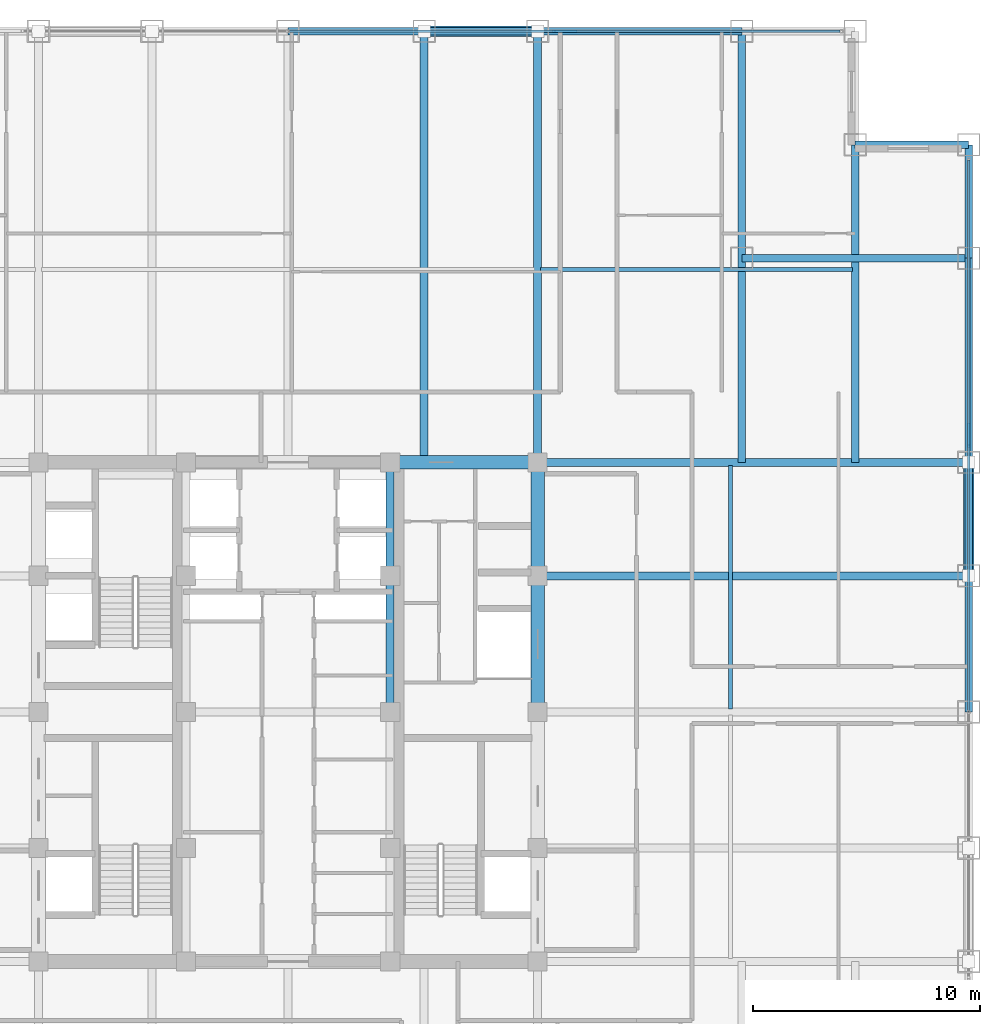
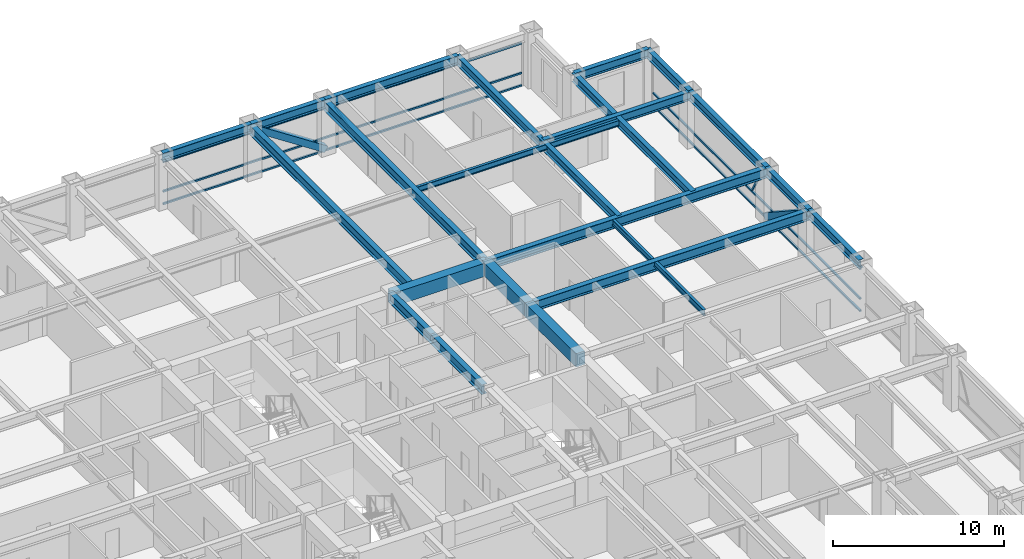
# One storey, part 17 of 25: 22 beams, 10 members, 2 elements without a shape of their own.
"""IFC4 building model written with IfcOpenShell, lengths in metres."""

import ifcopenshell
import ifcopenshell.guid

model = None  # the IFC model being written
_history = None  # IfcOwnerHistory: only IFC2X3 demands one
_inside = {}  # id of a spatial element -> (the spatial element, [elements in it])
_under = {}  # id of a project, library or spatial element -> (it, [spatial elements below it])
_declared = {}  # id of a project -> (the project, [libraries it declares])
_typed = {}  # id of a type object -> (the type object, [elements of that type])
_made_of = {}  # id of a material, layer set ... -> (it, [elements and type objects made of it])


def new_model(schema):
    """Start an empty IFC model of exactly this schema.

    Asked for "IFC4X3", IfcOpenShell would pick the latest addendum, in which some entities
    have other attributes; the version numbers below select the first issue.
    IFC2X3 requires an IfcOwnerHistory on every rooted entity: one is made here for all.
    """
    global model, _history
    if schema == "IFC4X3":
        model = ifcopenshell.file(schema_version=(4, 3, 0, 0))
    else:
        model = ifcopenshell.file(schema=schema)
    _inside.clear()
    _under.clear()
    _declared.clear()
    _typed.clear()
    _made_of.clear()
    _history = None
    if model.schema == "IFC2X3":
        org = make("IfcOrganization", Name="unknown")
        user = make(
            "IfcPersonAndOrganization",
            ThePerson=make("IfcPerson", FamilyName="unknown"),
            TheOrganization=org,
        )
        app = make(
            "IfcApplication",
            ApplicationDeveloper=org,
            Version="unknown",
            ApplicationFullName="unknown",
            ApplicationIdentifier="unknown",
        )
        _history = make(
            "IfcOwnerHistory",
            OwningUser=user,
            OwningApplication=app,
            ChangeAction="ADDED",
            CreationDate=0,
        )
    return model


def make(cls, **values):
    """One entity of the class cls with the attributes given. An attribute that is None is left unset."""
    return model.create_entity(
        cls, **{name: value for name, value in values.items() if value is not None}
    )


def rooted(cls, **values):
    """An entity with a GlobalId (a new one), such as an element, a storey or a relation."""
    return make(cls, GlobalId=ifcopenshell.guid.new(), OwnerHistory=_history, **values)


def si_unit(unit_type, name, prefix=None):
    """IfcSIUnit, for example si_unit("LENGTHUNIT", "METRE", prefix="MILLI")."""
    return make("IfcSIUnit", UnitType=unit_type, Prefix=prefix, Name=name)


def assignment(units):
    """IfcUnitAssignment: the units of a project."""
    return None if units is None else make("IfcUnitAssignment", Units=units)


def point(xyz):
    """IfcCartesianPoint."""
    return None if xyz is None else make("IfcCartesianPoint", Coordinates=xyz)


def direction(xyz):
    """IfcDirection."""
    return None if xyz is None else make("IfcDirection", DirectionRatios=xyz)


def frame(location, z_axis=None, x_axis=None):
    """IfcAxis2Placement3D, a coordinate frame: its origin and axes. An axis left out is left unset."""
    return make(
        "IfcAxis2Placement3D",
        Location=point(location),
        Axis=direction(z_axis),
        RefDirection=direction(x_axis),
    )


def frame_2d(location, x_axis=None):
    """IfcAxis2Placement2D, a coordinate frame in the plane: its origin and x axis."""
    return make(
        "IfcAxis2Placement2D", Location=point(location), RefDirection=direction(x_axis)
    )


def origin():
    """The frame at (0, 0, 0) with its axes left unset."""
    return frame((0.0, 0.0, 0.0))


def origin_2d():
    """The frame at (0, 0) in the plane with its x axis left unset."""
    return frame_2d((0.0, 0.0))


def place(relative_to, where):
    """IfcLocalPlacement: puts the frame where relative to a parent placement (None: the world)."""
    return make(
        "IfcLocalPlacement", PlacementRelTo=relative_to, RelativePlacement=where
    )


def context(
    kind, dimensions, precision=None, world=None, true_north=None, identifier=None
):
    """IfcGeometricRepresentationContext, for example the 3D "Model" context."""
    return make(
        "IfcGeometricRepresentationContext",
        ContextIdentifier=identifier,
        ContextType=kind,
        CoordinateSpaceDimension=dimensions,
        Precision=precision,
        WorldCoordinateSystem=world,
        TrueNorth=true_north,
    )


def subcontext(parent, identifier, kind, view, scale=None):
    """IfcGeometricRepresentationSubContext, for example "Body" below "Model"."""
    return make(
        "IfcGeometricRepresentationSubContext",
        ContextIdentifier=identifier,
        ContextType=kind,
        ParentContext=parent,
        TargetScale=scale,
        TargetView=view,
    )


def project(units=None, contexts=None):
    """IfcProject with its units and contexts."""
    return rooted(
        "IfcProject",
        Name="project",
        RepresentationContexts=contexts,
        UnitsInContext=assignment(units),
    )


def spatial(cls, under=None, at=None, **own):
    """A site, building, storey or space (cls), placed at a placement, below another one or the project."""
    s = rooted(cls, ObjectPlacement=at, **own)
    if under is not None:
        _under.setdefault(under.id(), (under, []))[1].append(s)
    return s


def profile(cls, at=None, kind="AREA", **sizes):
    """A parametric profile (cls). Its sizes go by their IFC names, for example OverallWidth=200.0."""
    return make(cls, ProfileType=kind, Position=at, **sizes)


def rectangle(**sizes):
    """IfcRectangleProfileDef."""
    return profile("IfcRectangleProfileDef", **sizes)


def hollow_rectangle(**sizes):
    """IfcRectangleHollowProfileDef."""
    return profile("IfcRectangleHollowProfileDef", **sizes)


def i_section(**sizes):
    """IfcIShapeProfileDef."""
    return profile("IfcIShapeProfileDef", **sizes)


def extrude(swept, where, along, depth):
    """IfcExtrudedAreaSolid: the profile swept, set in the frame where, extruded along a direction by depth."""
    return make(
        "IfcExtrudedAreaSolid",
        SweptArea=swept,
        Position=where,
        ExtrudedDirection=direction(along),
        Depth=depth,
    )


def shape(context_of_items, identifier, shape_type, items):
    """IfcShapeRepresentation: the items that make up one representation, for example the "Body"."""
    return make(
        "IfcShapeRepresentation",
        ContextOfItems=context_of_items,
        RepresentationIdentifier=identifier,
        RepresentationType=shape_type,
        Items=items,
    )


def source(mapping_origin, context_of_items, identifier, shape_type, items):
    """IfcRepresentationMap: a shape defined once, which mapped items show again and again."""
    return make(
        "IfcRepresentationMap",
        MappingOrigin=mapping_origin,
        MappedRepresentation=shape(context_of_items, identifier, shape_type, items),
    )


def transform(
    local_origin,
    x_axis=None,
    y_axis=None,
    z_axis=None,
    scale=None,
    scale2=None,
    scale3=None,
    uniform=True,
):
    """IfcCartesianTransformationOperator3D, or its non-uniform kind. x_axis, y_axis, z_axis: its Axis1, 2, 3."""
    if uniform:
        return make(
            "IfcCartesianTransformationOperator3D",
            Axis1=direction(x_axis),
            Axis2=direction(y_axis),
            LocalOrigin=point(local_origin),
            Scale=scale,
            Axis3=direction(z_axis),
        )
    return make(
        "IfcCartesianTransformationOperator3DnonUniform",
        Axis1=direction(x_axis),
        Axis2=direction(y_axis),
        LocalOrigin=point(local_origin),
        Scale=scale,
        Axis3=direction(z_axis),
        Scale2=scale2,
        Scale3=scale3,
    )


def mapped(mapping_source, mapping_target):
    """IfcMappedItem: shows the shape of a source again, moved by a transform."""
    return make(
        "IfcMappedItem", MappingSource=mapping_source, MappingTarget=mapping_target
    )


def material(Name=None, Category=None):
    """IfcMaterial."""
    return make("IfcMaterial", Name=Name, Category=Category)


def material_profile(
    of_material, cross_section, Name=None, Category=None, Priority=None
):
    """IfcMaterialProfile: a cross section and its material."""
    return make(
        "IfcMaterialProfile",
        Name=Name,
        Material=of_material,
        Profile=cross_section,
        Priority=Priority,
        Category=Category,
    )


def profile_set(profiles, Name=None, composite=None):
    """IfcMaterialProfileSet."""
    return make(
        "IfcMaterialProfileSet",
        Name=Name,
        MaterialProfiles=profiles,
        CompositeProfile=composite,
    )


def made_of(thing, what):
    """Note that an element or type object is made of a material, layer set ...; save() writes the relation."""
    if what is not None:
        _made_of.setdefault(what.id(), (what, []))[1].append(thing)
    return thing


def type_object(cls, material=None, **own):
    """A type object (cls), such as IfcWallType, which elements share."""
    return made_of(rooted(cls, **own), material)


def element(
    cls,
    number,
    at=None,
    inside=None,
    cuts=None,
    type_object=None,
    material=None,
    context=None,
    identifier="Body",
    shape_type=None,
    held_by="IfcProductDefinitionShape",
    body=None,
    shapes=None,
    **own,
):
    """One element of the class cls, such as IfcWall. Its Tag is "e" and its number.

    at: its placement. inside: the storey or other place that contains it. cuts: it is an
    opening in that element (IfcRelVoidsElement). A single representation is given by context,
    identifier, shape_type and body (its items); several are given by shapes. held_by: the class
    of the entity that holds the representations. save() writes the other relations.
    """
    e = rooted(cls, Tag="e%d" % number, ObjectPlacement=at, **own)
    if body is not None:
        shapes = [shape(context, identifier, shape_type, body)]
    if shapes is not None:
        e.Representation = make(held_by, Representations=shapes)
    if inside is not None:
        _inside.setdefault(inside.id(), (inside, []))[1].append(e)
    if cuts is not None:
        rooted(
            "IfcRelVoidsElement", RelatingBuildingElement=cuts, RelatedOpeningElement=e
        )
    if type_object is not None:
        _typed.setdefault(type_object.id(), (type_object, []))[1].append(e)
    return made_of(e, material)


def aggregate(whole, parts):
    """IfcRelAggregates: a whole, such as a stair, and the parts it consists of."""
    return rooted("IfcRelAggregates", RelatingObject=whole, RelatedObjects=parts)


def save(model, path):
    """Write the relations noted so far, then the file.

    IfcRelAggregates (storeys below a building ...), IfcRelContainedInSpatialStructure (elements
    in a storey), IfcRelDefinesByType, IfcRelAssociatesMaterial and IfcRelDeclares: one each for
    every whole, place, type object, material and project.
    """
    for whole, parts in _under.values():
        aggregate(whole, parts)
    for where, things in _inside.values():
        rooted(
            "IfcRelContainedInSpatialStructure",
            RelatedElements=things,
            RelatingStructure=where,
        )
    for kind, things in _typed.values():
        rooted("IfcRelDefinesByType", RelatedObjects=things, RelatingType=kind)
    for what, things in _made_of.values():
        rooted("IfcRelAssociatesMaterial", RelatedObjects=things, RelatingMaterial=what)
    for by, libraries in _declared.values():
        rooted("IfcRelDeclares", RelatingContext=by, RelatedDefinitions=libraries)
    model.write(path)


model = new_model("IFC4")

# Units and contexts
model_context = context("Model", 3, precision=1e-05, world=origin(), true_north=direction((0.0, 1.0)))
body_context = subcontext(model_context, "Body", "Model", "MODEL_VIEW")
ifc_project = project(units=[si_unit("LENGTHUNIT", "METRE"), si_unit("AREAUNIT", "SQUARE_METRE"), si_unit("VOLUMEUNIT", "CUBIC_METRE"), si_unit("PLANEANGLEUNIT", "RADIAN"), si_unit("MASSUNIT", "GRAM", prefix="KILO")], contexts=[model_context])

# Site, building, storey
site_placement = place(None, origin())
site = spatial("IfcSite", under=ifc_project, at=site_placement, CompositionType="ELEMENT")
building_placement = place(site_placement, origin())
building = spatial("IfcBuilding", under=site, at=building_placement, Name="Khorayat Bourse Tower", CompositionType="ELEMENT")
storey_placement = place(building_placement, frame((0.0, 0.0, 227.10009765625)))
storey = spatial("IfcBuildingStorey", under=building, at=storey_placement, Name="L53", CompositionType="ELEMENT", Elevation=227.10009765625)

# Beams
ifc_material_1 = material(Name="Steel ASTM A992 Grade 50", Category="steel")
ifc_material_profile_1 = material_profile(ifc_material_1, i_section(OverallWidth=0.35498046875, OverallDepth=0.695068359375, WebThickness=0.015380859375, FlangeThickness=0.02490234375, FilletRadius=0.01806640625, at=origin_2d()), Name="W690X217")
ifc_profile_set_1 = profile_set([ifc_material_profile_1], Name="Steel ASTM A992 Grade 50")
beam_type_1 = type_object("IfcBeamType", Name="BM-GIRD-690", PredefinedType="BEAM", material=ifc_profile_set_1)
shared_shape_1 = source(origin(), body_context, "Body", "SweptSolid", [
    extrude(i_section(OverallWidth=0.35498046875, OverallDepth=0.695068359375, WebThickness=0.015380859375, FlangeThickness=0.02490234375, FilletRadius=0.01806640625, at=origin_2d()), origin(), (0.0, 0.0, 1.0), 5.0),
])
beam_1_placement = place(storey_placement, frame((4.5, 6.0, 3.432373046875), z_axis=(0.0, 1.0, 0.0), x_axis=(-1.0, 0.0, 0.0)))
element("IfcBeam", 1, at=beam_1_placement, inside=storey, type_object=beam_type_1, Name="L53 BM-GIRD-690 BM-L53-CRX-12", PredefinedType="BEAM", context=body_context, shape_type="MappedRepresentation", body=[
    mapped(shared_shape_1, transform((0.0, 0.0, 0.0), scale=1.0)),
])
shared_shape_2 = source(origin(), body_context, "Body", "SweptSolid", [
    extrude(i_section(OverallWidth=0.35498046875, OverallDepth=0.695068359375, WebThickness=0.015380859375, FlangeThickness=0.02490234375, FilletRadius=0.01806640625, at=origin_2d()), origin(), (0.0, 0.0, 1.0), 6.0),
])
beam_2_placement = place(storey_placement, frame((4.5, 0.0, 3.432373046875), z_axis=(0.0, 1.0, 0.0), x_axis=(-1.0, 0.0, 0.0)))
element("IfcBeam", 2, at=beam_2_placement, inside=storey, type_object=beam_type_1, Name="L53 BM-GIRD-690 BM-L53-CRX-11", PredefinedType="BEAM", context=body_context, shape_type="MappedRepresentation", body=[
    mapped(shared_shape_2, transform((0.0, 0.0, 0.0), scale=1.0)),
])
ifc_material_profile_2 = material_profile(ifc_material_1, i_section(OverallWidth=0.324951171875, OverallDepth=0.615966796875, WebThickness=0.013916015625, FlangeThickness=0.021484375, FilletRadius=0.01611328125, at=origin_2d()), Name="W610X174")
ifc_profile_set_2 = profile_set([ifc_material_profile_2], Name="Steel ASTM A992 Grade 50")
beam_type_2 = type_object("IfcBeamType", Name="BM-GIRD-610", PredefinedType="BEAM", material=ifc_profile_set_2)
shared_shape_3 = source(origin(), body_context, "Body", "SweptSolid", [
    extrude(i_section(OverallWidth=0.324951171875, OverallDepth=0.615966796875, WebThickness=0.013916015625, FlangeThickness=0.021484375, FilletRadius=0.01611328125, at=origin_2d()), origin(), (0.0, 0.0, 1.0), 19.0),
])
beam_3_placement = place(storey_placement, frame((20.0, 11.0, 3.471923828125), z_axis=(0.0, 1.0, 0.0), x_axis=(-1.0, 0.0, 0.0)))
element("IfcBeam", 3, at=beam_3_placement, inside=storey, type_object=beam_type_2, Name="L53 BM-GIRD-610 BM-L53-CNRY-087", PredefinedType="BEAM", context=body_context, shape_type="MappedRepresentation", body=[
    mapped(shared_shape_3, transform((0.0, 0.0, 0.0), scale=1.0)),
])
shared_shape_4 = source(origin(), body_context, "Body", "SweptSolid", [
    extrude(i_section(OverallWidth=0.324951171875, OverallDepth=0.615966796875, WebThickness=0.013916015625, FlangeThickness=0.021484375, FilletRadius=0.01611328125, at=origin_2d()), origin(), (0.0, 0.0, 1.0), 10.0),
])
beam_4_placement = place(storey_placement, frame((20.0, 20.0, 3.471923828125), z_axis=(1.0, 0.0, 0.0), x_axis=(0.0, 1.0, 0.0)))
element("IfcBeam", 4, at=beam_4_placement, inside=storey, type_object=beam_type_2, Name="L53 BM-GIRD-610 BM-L53-CNRX-094", PredefinedType="BEAM", context=body_context, shape_type="MappedRepresentation", body=[
    mapped(shared_shape_4, transform((0.0, 0.0, 0.0), scale=1.0)),
])
ifc_material_profile_3 = material_profile(ifc_material_1, i_section(OverallWidth=0.180908203125, OverallDepth=0.4169921875, WebThickness=0.010986328125, FlangeThickness=0.018310546875, FilletRadius=0.011962890625, at=origin_2d()), Name="W410X85")
ifc_profile_set_3 = profile_set([ifc_material_profile_3], Name="Steel ASTM A992 Grade 50")
beam_type_3 = type_object("IfcBeamType", Name="BM-JOIST-410", PredefinedType="JOIST", material=ifc_profile_set_3)
shared_shape_5 = source(origin(), body_context, "Body", "SweptSolid", [
    extrude(i_section(OverallWidth=0.180908203125, OverallDepth=0.4169921875, WebThickness=0.010986328125, FlangeThickness=0.018310546875, FilletRadius=0.011962890625, at=origin_2d()), origin(), (0.0, 0.0, 1.0), 10.740234375),
])
beam_5_placement = place(storey_placement, frame((19.5, 0.1298828125, 3.5712890625), z_axis=(0.0, 1.0, 0.0), x_axis=(-1.0, 0.0, 0.0)))
element("IfcBeam", 5, at=beam_5_placement, inside=storey, type_object=beam_type_3, Name="L53 BM-JOIST-410 BM-L53-JSTY-105", PredefinedType="JOIST", context=body_context, shape_type="MappedRepresentation", body=[
    mapped(shared_shape_5, transform((0.0, 0.0, 0.0), scale=1.0)),
])
ifc_material_profile_4 = material_profile(ifc_material_1, i_section(OverallWidth=0.324951171875, OverallDepth=0.615966796875, WebThickness=0.013916015625, FlangeThickness=0.021484375, FilletRadius=0.01611328125, at=origin_2d()), Name="W610X174")
ifc_profile_set_4 = profile_set([ifc_material_profile_4], Name="Steel ASTM A992 Grade 50")
beam_type_4 = type_object("IfcBeamType", Name="BM-SPAN-610", PredefinedType="SPANDREL", material=ifc_profile_set_4)
shared_shape_6 = source(origin(), body_context, "Body", "SweptSolid", [
    extrude(i_section(OverallWidth=0.324951171875, OverallDepth=0.615966796875, WebThickness=0.013916015625, FlangeThickness=0.021484375, FilletRadius=0.01611328125, at=origin_2d()), origin(), (0.0, 0.0, 1.0), 9.0),
])
for number, where, z_axis, x_axis, name in (
    (6, (30.0, 11.0, 3.471923828125), (0.0, 1.0, 0.0), (-1.0, 0.0, 0.0), "L53 BM-SPAN-610 BM-L53-SPN-040"),
    (7, (11.0, 30.0, 3.471923828125), (1.0, 0.0, 0.0), (0.0, 1.0, 0.0), "L53 BM-SPAN-610 BM-L53-SPN-045"),
):
    element("IfcBeam", number, at=place(storey_placement, frame(where, z_axis=z_axis, x_axis=x_axis)), inside=storey, type_object=beam_type_4, Name=name, PredefinedType="SPANDREL", context=body_context, shape_type="MappedRepresentation", body=[
        mapped(shared_shape_6, transform((0.0, 0.0, 0.0), scale=1.0)),
    ])
shared_shape_7 = source(origin(), body_context, "Body", "SweptSolid", [
    extrude(i_section(OverallWidth=0.324951171875, OverallDepth=0.615966796875, WebThickness=0.013916015625, FlangeThickness=0.021484375, FilletRadius=0.01611328125, at=origin_2d()), origin(), (0.0, 0.0, 1.0), 5.0),
])
for number, where, z_axis, x_axis, name in (
    (8, (30.0, 6.0, 3.471923828125), (0.0, 1.0, 0.0), (-1.0, 0.0, 0.0), "L53 BM-SPAN-610 BM-L53-SPN-039"),
    (9, (30.0, 20.0, 3.471923828125), (0.0, 1.0, 0.0), (-1.0, 0.0, 0.0), "L53 BM-SPAN-610 BM-L53-SPN-041"),
    (10, (25.0, 25.0, 3.471923828125), (1.0, 0.0, 0.0), (0.0, 1.0, 0.0), "L53 BM-SPAN-610 BM-L53-SPN-042"),
    (11, (6.0, 30.0, 3.471923828125), (1.0, 0.0, 0.0), (0.0, 1.0, 0.0), "L53 BM-SPAN-610 BM-L53-SPN-046"),
):
    element("IfcBeam", number, at=place(storey_placement, frame(where, z_axis=z_axis, x_axis=x_axis)), inside=storey, type_object=beam_type_4, Name=name, PredefinedType="SPANDREL", context=body_context, shape_type="MappedRepresentation", body=[
        mapped(shared_shape_7, transform((0.0, 0.0, 0.0), scale=1.0)),
    ])
shared_shape_8 = source(origin(), body_context, "Body", "SweptSolid", [
    extrude(i_section(OverallWidth=0.324951171875, OverallDepth=0.615966796875, WebThickness=0.013916015625, FlangeThickness=0.021484375, FilletRadius=0.01611328125, at=origin_2d()), origin(), (0.0, 0.0, 1.0), 6.0),
])
for number, where, z_axis, x_axis, name in (
    (12, (30.0, 0.0, 3.471923828125), (0.0, 1.0, 0.0), (-1.0, 0.0, 0.0), "L53 BM-SPAN-610 BM-L53-SPN-038"),
    (13, (0.0, 30.0, 3.471923828125), (1.0, 0.0, 0.0), (0.0, 1.0, 0.0), "L53 BM-SPAN-610 BM-L53-SPN-047"),
):
    element("IfcBeam", number, at=place(storey_placement, frame(where, z_axis=z_axis, x_axis=x_axis)), inside=storey, type_object=beam_type_4, Name=name, PredefinedType="SPANDREL", context=body_context, shape_type="MappedRepresentation", body=[
        mapped(shared_shape_8, transform((0.0, 0.0, 0.0), scale=1.0)),
    ])
ifc_material_2 = material(Name="Concrete C60/75", Category="concrete")
ifc_material_profile_5 = material_profile(ifc_material_2, rectangle(XDim=0.60009765625, YDim=0.949951171875, at=origin_2d()), Name="RC 600x950")
ifc_profile_set_5 = profile_set([ifc_material_profile_5], Name="Concrete C60/75")
beam_type_5 = type_object("IfcBeamType", Name="BM-COUP-950", PredefinedType="BEAM", material=ifc_profile_set_5)
shared_shape_9 = source(origin(), body_context, "Body", "SweptSolid", [
    extrude(rectangle(XDim=0.60009765625, YDim=0.949951171875, at=origin_2d()), origin(), (0.0, 0.0, 1.0), 5.0),
])
beam_6_placement = place(storey_placement, frame((11.0, 6.0, 3.304931640625), z_axis=(0.0, 1.0, 0.0), x_axis=(-1.0, 0.0, 0.0)))
element("IfcBeam", 14, at=beam_6_placement, inside=storey, type_object=beam_type_5, Name="L53 BM-COUP-950 BM-L53-CRX-16", PredefinedType="BEAM", context=body_context, shape_type="MappedRepresentation", body=[
    mapped(shared_shape_9, transform((0.0, 0.0, 0.0), scale=1.0)),
])
shared_shape_10 = source(origin(), body_context, "Body", "SweptSolid", [
    extrude(rectangle(XDim=0.60009765625, YDim=0.949951171875, at=origin_2d()), origin(), (0.0, 0.0, 1.0), 6.0),
])
beam_7_placement = place(storey_placement, frame((11.0, 0.0, 3.304931640625), z_axis=(0.0, 1.0, 0.0), x_axis=(-1.0, 0.0, 0.0)))
element("IfcBeam", 15, at=beam_7_placement, inside=storey, type_object=beam_type_5, Name="L53 BM-COUP-950 BM-L53-CRX-15", PredefinedType="BEAM", context=body_context, shape_type="MappedRepresentation", body=[
    mapped(shared_shape_10, transform((0.0, 0.0, 0.0), scale=1.0)),
])
shared_shape_11 = source(origin(), body_context, "Body", "SweptSolid", [
    extrude(rectangle(XDim=0.60009765625, YDim=0.949951171875, at=origin_2d()), origin(), (0.0, 0.0, 1.0), 6.5),
])
beam_8_placement = place(storey_placement, frame((4.5, 11.0, 3.304931640625), z_axis=(1.0, 0.0, 0.0), x_axis=(0.0, 1.0, 0.0)))
element("IfcBeam", 16, at=beam_8_placement, inside=storey, type_object=beam_type_5, Name="L53 BM-COUP-950 BM-L53-CRY-22", PredefinedType="BEAM", context=body_context, shape_type="MappedRepresentation", body=[
    mapped(shared_shape_11, transform((0.0, 0.0, 0.0), scale=1.0)),
])
shared_shape_12 = source(origin(), body_context, "Body", "SweptSolid", [
    extrude(i_section(OverallWidth=0.35498046875, OverallDepth=0.695068359375, WebThickness=0.015380859375, FlangeThickness=0.02490234375, FilletRadius=0.01806640625, at=origin_2d()), origin(), (0.0, 0.0, 1.0), 19.0),
])
for number, where, z_axis, x_axis, name in (
    (17, (6.0, 11.0, 3.432373046875), (0.0, 1.0, 0.0), (-1.0, 0.0, 0.0), "L53 BM-GIRD-690 BM-L53-RADY-070"),
    (18, (11.0, 11.0, 3.432373046875), (0.0, 1.0, 0.0), (-1.0, 0.0, 0.0), "L53 BM-GIRD-690 BM-L53-RADY-072"),
    (19, (11.0, 6.0, 3.432373046875), (1.0, 0.0, 0.0), (0.0, 1.0, 0.0), "L53 BM-GIRD-690 BM-L53-RADX-080"),
    (20, (11.0, 11.0, 3.432373046875), (1.0, 0.0, 0.0), (0.0, 1.0, 0.0), "L53 BM-GIRD-690 BM-L53-RADX-082"),
):
    element("IfcBeam", number, at=place(storey_placement, frame(where, z_axis=z_axis, x_axis=x_axis)), inside=storey, type_object=beam_type_1, Name=name, PredefinedType="BEAM", context=body_context, shape_type="MappedRepresentation", body=[
        mapped(shared_shape_12, transform((0.0, 0.0, 0.0), scale=1.0)),
    ])
shared_shape_13 = source(origin(), body_context, "Body", "SweptSolid", [
    extrude(i_section(OverallWidth=0.324951171875, OverallDepth=0.615966796875, WebThickness=0.013916015625, FlangeThickness=0.021484375, FilletRadius=0.01611328125, at=origin_2d()), origin(), (0.0, 0.0, 1.0), 14.0),
])
beam_9_placement = place(storey_placement, frame((25.0, 11.0, 3.471923828125), z_axis=(0.0, 1.0, 0.0), x_axis=(-1.0, 0.0, 0.0)))
element("IfcBeam", 21, at=beam_9_placement, inside=storey, type_object=beam_type_2, Name="L53 BM-GIRD-610 BM-L53-CNRY-091", PredefinedType="BEAM", context=body_context, shape_type="MappedRepresentation", body=[
    mapped(shared_shape_13, transform((0.0, 0.0, 0.0), scale=1.0)),
])
shared_shape_14 = source(origin(), body_context, "Body", "SweptSolid", [
    extrude(i_section(OverallWidth=0.180908203125, OverallDepth=0.4169921875, WebThickness=0.010986328125, FlangeThickness=0.018310546875, FilletRadius=0.011962890625, at=origin_2d()), origin(), (0.0, 0.0, 1.0), 13.740234375),
])
beam_10_placement = place(storey_placement, frame((11.1298828125, 19.5, 3.5712890625), z_axis=(1.0, 0.0, 0.0), x_axis=(0.0, 1.0, 0.0)))
element("IfcBeam", 22, at=beam_10_placement, inside=storey, type_object=beam_type_3, Name="L53 BM-JOIST-410 BM-L53-JSTX-101", PredefinedType="JOIST", context=body_context, shape_type="MappedRepresentation", body=[
    mapped(shared_shape_14, transform((0.0, 0.0, 0.0), scale=1.0)),
])

# Members
ifc_material_3 = material(Name="Steel EN 10025-4 S460M", Category="steel")
ifc_material_profile_6 = material_profile(ifc_material_3, hollow_rectangle(XDim=0.449951171875, YDim=0.449951171875, WallThickness=0.02490234375, at=origin_2d()), Name="HSS 450x450x25")
ifc_profile_set_6 = profile_set([ifc_material_profile_6], Name="Steel EN 10025-4 S460M")
member_type_1 = type_object("IfcMemberType", Name="MBR-TUBE-450", PredefinedType="BRACE", material=ifc_profile_set_6)
shared_shape_15 = source(origin(), body_context, "Body", "SweptSolid", [
    extrude(hollow_rectangle(XDim=0.449951171875, YDim=0.449951171875, WallThickness=0.02490234375, at=origin_2d()), origin(), (0.0, 0.0, 1.0), 5.979736328125),
])
for number, where, z_axis, x_axis, name in (
    (23, (6.0, 30.0, 3.52978515625), (0.836160261256, 0.0, -0.548485202623), (0.0, 1.0, 0.0), "L53 Perimeter Tube Brace 04"),
    (24, (30.0, 6.0, 3.52978515625), (0.0, 0.836160261256, -0.548485202623), (-1.0, 0.0, 0.0), "L53 Perimeter Tube Brace 08"),
):
    element("IfcMember", number, at=place(storey_placement, frame(where, z_axis=z_axis, x_axis=x_axis)), inside=storey, type_object=member_type_1, Name=name, PredefinedType="BRACE", context=body_context, shape_type="MappedRepresentation", body=[
        mapped(shared_shape_15, transform((0.0, 0.0, 0.0), scale=1.0)),
    ])

# Curtain wall, member
ifc_material_4 = material(Name="Aluminium EN AW-6063 T6", Category="aluminium")
curtain_wall_type = type_object("IfcCurtainWallType", Name="CW-SYS-03", PredefinedType="NOTDEFINED", material=ifc_material_4)
curtain_wall_1_placement = place(storey_placement, origin())
curtain_wall_1 = element("IfcCurtainWall", 25, at=curtain_wall_1_placement, inside=storey, type_object=curtain_wall_type, Name="L53 Curtain Wall CW-L53-N1", PredefinedType="NOTDEFINED")
ifc_material_profile_7 = material_profile(ifc_material_4, hollow_rectangle(XDim=0.1201171875, YDim=0.1201171875, WallThickness=0.0048828125, at=origin_2d()), Name="ALU 120x120x5")
ifc_profile_set_7 = profile_set([ifc_material_profile_7], Name="Aluminium EN AW-6063 T6")
member_type_2 = type_object("IfcMemberType", Name="CWM-DIAG-120", PredefinedType="MULLION", material=ifc_profile_set_7)
shared_shape_16 = source(origin(), body_context, "Body", "SweptSolid", [
    extrude(hollow_rectangle(XDim=0.1201171875, YDim=0.1201171875, WallThickness=0.0048828125, at=origin_2d()), origin(), (0.0, 0.0, 1.0), 2.079345703125),
])
member_1_placement = place(storey_placement, frame((12.67919921875, 30.0, 1.08984375), z_axis=(-0.465760949701, 0.0, 0.884910581773), x_axis=(0.0, -1.0, 0.0)))
member_1 = element("IfcMember", 26, at=member_1_placement, type_object=member_type_2, Name="CW-L53-N1 Faceted Diagonal Mullion 2", PredefinedType="MULLION", context=body_context, shape_type="MappedRepresentation", body=[
    mapped(shared_shape_16, transform((0.0, 0.0, 0.0), scale=1.0)),
])

curtain_wall_2_placement = place(storey_placement, origin())
curtain_wall_2 = element("IfcCurtainWall", 27, at=curtain_wall_2_placement, inside=storey, type_object=curtain_wall_type, Name="L53 Curtain Wall CW-L53-E1", PredefinedType="NOTDEFINED")
member_2_placement = place(storey_placement, frame((30.0, 12.67919921875, 1.08984375), z_axis=(0.0, -0.465760949701, 0.884910581773), x_axis=(1.0, 0.0, 0.0)))
member_2 = element("IfcMember", 28, at=member_2_placement, type_object=member_type_2, Name="CW-L53-E1 Faceted Diagonal Mullion 2", PredefinedType="MULLION", context=body_context, shape_type="MappedRepresentation", body=[
    mapped(shared_shape_16, transform((0.0, 0.0, 0.0), scale=1.0)),
])

# Member
ifc_material_profile_8 = material_profile(ifc_material_4, hollow_rectangle(XDim=0.1201171875, YDim=0.1201171875, WallThickness=0.0048828125, at=origin_2d()), Name="ALU 120x120x5")
ifc_profile_set_8 = profile_set([ifc_material_profile_8], Name="Aluminium EN AW-6063 T6")
member_type_3 = type_object("IfcMemberType", Name="CWT-HORZ-120", PredefinedType="USERDEFINED", material=ifc_profile_set_8)
shared_shape_17 = source(origin(), body_context, "Body", "SweptSolid", [
    extrude(hollow_rectangle(XDim=0.1201171875, YDim=0.1201171875, WallThickness=0.0048828125, at=origin_2d()), origin(), (0.0, 0.0, 1.0), 24.27001953125),
])
member_3_placement = place(storey_placement, frame((0.06005859375, 30.0, 0.059814453125), z_axis=(1.0, 0.0, 0.0), x_axis=(0.0, 1.0, 0.0)))
member_3 = element("IfcMember", 29, at=member_3_placement, type_object=member_type_3, Name="CW-L53-N1 Horizontal Transom 2-1", ObjectType="TRANSOM", PredefinedType="USERDEFINED", context=body_context, shape_type="MappedRepresentation", body=[
    mapped(shared_shape_17, transform((0.0, 0.0, 0.0), scale=1.0)),
])

member_4_placement = place(storey_placement, frame((0.06005859375, 30.0, 0.949951171875), z_axis=(1.0, 0.0, 0.0), x_axis=(0.0, 1.0, 0.0)))
member_4 = element("IfcMember", 30, at=member_4_placement, type_object=member_type_3, Name="CW-L53-N1 Horizontal Transom 2-2", ObjectType="TRANSOM", PredefinedType="USERDEFINED", context=body_context, shape_type="MappedRepresentation", body=[
    mapped(shared_shape_17, transform((0.0, 0.0, 0.0), scale=1.0)),
])

member_5_placement = place(storey_placement, frame((0.06005859375, 30.0, 3.06982421875), z_axis=(1.0, 0.0, 0.0), x_axis=(0.0, 1.0, 0.0)))
member_5 = element("IfcMember", 31, at=member_5_placement, type_object=member_type_3, Name="CW-L53-N1 Horizontal Transom 2-3", ObjectType="TRANSOM", PredefinedType="USERDEFINED", context=body_context, shape_type="MappedRepresentation", body=[
    mapped(shared_shape_17, transform((0.0, 0.0, 0.0), scale=1.0)),
])

aggregate(curtain_wall_1, [member_3, member_4, member_5, member_1])

member_6_placement = place(storey_placement, frame((30.0, 0.06005859375, 0.059814453125), z_axis=(0.0, 1.0, 0.0), x_axis=(-1.0, 0.0, 0.0)))
member_6 = element("IfcMember", 32, at=member_6_placement, type_object=member_type_3, Name="CW-L53-E1 Horizontal Transom 2-1", ObjectType="TRANSOM", PredefinedType="USERDEFINED", context=body_context, shape_type="MappedRepresentation", body=[
    mapped(shared_shape_17, transform((0.0, 0.0, 0.0), scale=1.0)),
])

member_7_placement = place(storey_placement, frame((30.0, 0.06005859375, 0.949951171875), z_axis=(0.0, 1.0, 0.0), x_axis=(-1.0, 0.0, 0.0)))
member_7 = element("IfcMember", 33, at=member_7_placement, type_object=member_type_3, Name="CW-L53-E1 Horizontal Transom 2-2", ObjectType="TRANSOM", PredefinedType="USERDEFINED", context=body_context, shape_type="MappedRepresentation", body=[
    mapped(shared_shape_17, transform((0.0, 0.0, 0.0), scale=1.0)),
])

member_8_placement = place(storey_placement, frame((30.0, 0.06005859375, 3.06982421875), z_axis=(0.0, 1.0, 0.0), x_axis=(-1.0, 0.0, 0.0)))
member_8 = element("IfcMember", 34, at=member_8_placement, type_object=member_type_3, Name="CW-L53-E1 Horizontal Transom 2-3", ObjectType="TRANSOM", PredefinedType="USERDEFINED", context=body_context, shape_type="MappedRepresentation", body=[
    mapped(shared_shape_17, transform((0.0, 0.0, 0.0), scale=1.0)),
])

aggregate(curtain_wall_2, [member_6, member_7, member_8, member_2])

save(model, "model.ifc")
